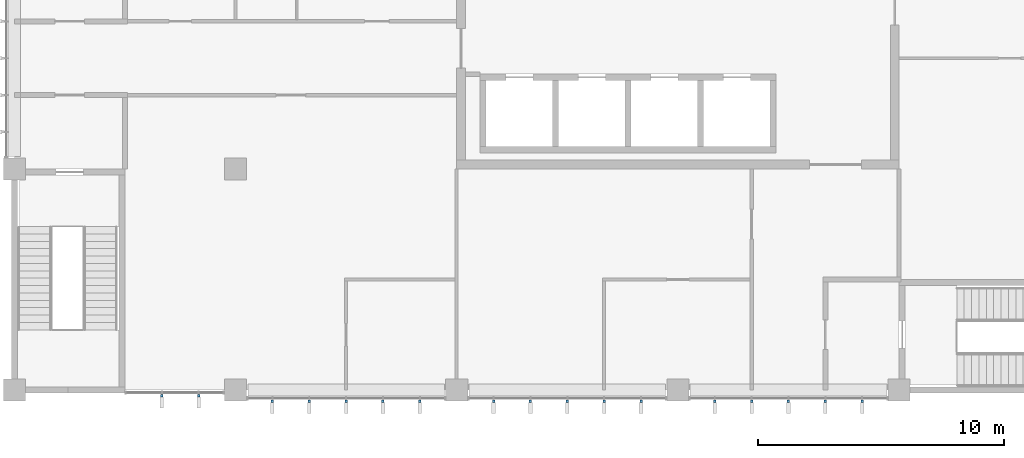
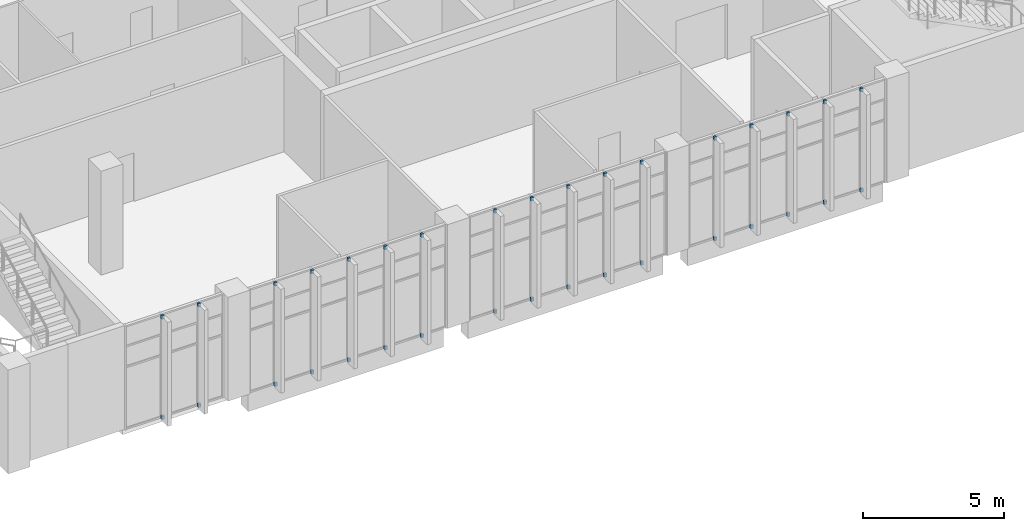
# One storey, part 93 of 106: 34 discrete accessories.
"""IFC4 building model written with IfcOpenShell, lengths in metres."""

import ifcopenshell
import ifcopenshell.guid

model = None  # the IFC model being written
_history = None  # IfcOwnerHistory: only IFC2X3 demands one
_inside = {}  # id of a spatial element -> (the spatial element, [elements in it])
_under = {}  # id of a project, library or spatial element -> (it, [spatial elements below it])
_declared = {}  # id of a project -> (the project, [libraries it declares])
_typed = {}  # id of a type object -> (the type object, [elements of that type])
_made_of = {}  # id of a material, layer set ... -> (it, [elements and type objects made of it])


def new_model(schema):
    """Start an empty IFC model of exactly this schema.

    Asked for "IFC4X3", IfcOpenShell would pick the latest addendum, in which some entities
    have other attributes; the version numbers below select the first issue.
    IFC2X3 requires an IfcOwnerHistory on every rooted entity: one is made here for all.
    """
    global model, _history
    if schema == "IFC4X3":
        model = ifcopenshell.file(schema_version=(4, 3, 0, 0))
    else:
        model = ifcopenshell.file(schema=schema)
    _inside.clear()
    _under.clear()
    _declared.clear()
    _typed.clear()
    _made_of.clear()
    _history = None
    if model.schema == "IFC2X3":
        org = make("IfcOrganization", Name="unknown")
        user = make(
            "IfcPersonAndOrganization",
            ThePerson=make("IfcPerson", FamilyName="unknown"),
            TheOrganization=org,
        )
        app = make(
            "IfcApplication",
            ApplicationDeveloper=org,
            Version="unknown",
            ApplicationFullName="unknown",
            ApplicationIdentifier="unknown",
        )
        _history = make(
            "IfcOwnerHistory",
            OwningUser=user,
            OwningApplication=app,
            ChangeAction="ADDED",
            CreationDate=0,
        )
    return model


def make(cls, **values):
    """One entity of the class cls with the attributes given. An attribute that is None is left unset."""
    return model.create_entity(
        cls, **{name: value for name, value in values.items() if value is not None}
    )


def rooted(cls, **values):
    """An entity with a GlobalId (a new one), such as an element, a storey or a relation."""
    return make(cls, GlobalId=ifcopenshell.guid.new(), OwnerHistory=_history, **values)


def si_unit(unit_type, name, prefix=None):
    """IfcSIUnit, for example si_unit("LENGTHUNIT", "METRE", prefix="MILLI")."""
    return make("IfcSIUnit", UnitType=unit_type, Prefix=prefix, Name=name)


def assignment(units):
    """IfcUnitAssignment: the units of a project."""
    return None if units is None else make("IfcUnitAssignment", Units=units)


def point(xyz):
    """IfcCartesianPoint."""
    return None if xyz is None else make("IfcCartesianPoint", Coordinates=xyz)


def direction(xyz):
    """IfcDirection."""
    return None if xyz is None else make("IfcDirection", DirectionRatios=xyz)


def frame(location, z_axis=None, x_axis=None):
    """IfcAxis2Placement3D, a coordinate frame: its origin and axes. An axis left out is left unset."""
    return make(
        "IfcAxis2Placement3D",
        Location=point(location),
        Axis=direction(z_axis),
        RefDirection=direction(x_axis),
    )


def frame_2d(location, x_axis=None):
    """IfcAxis2Placement2D, a coordinate frame in the plane: its origin and x axis."""
    return make(
        "IfcAxis2Placement2D", Location=point(location), RefDirection=direction(x_axis)
    )


def origin():
    """The frame at (0, 0, 0) with its axes left unset."""
    return frame((0.0, 0.0, 0.0))


def origin_2d():
    """The frame at (0, 0) in the plane with its x axis left unset."""
    return frame_2d((0.0, 0.0))


def place(relative_to, where):
    """IfcLocalPlacement: puts the frame where relative to a parent placement (None: the world)."""
    return make(
        "IfcLocalPlacement", PlacementRelTo=relative_to, RelativePlacement=where
    )


def context(
    kind, dimensions, precision=None, world=None, true_north=None, identifier=None
):
    """IfcGeometricRepresentationContext, for example the 3D "Model" context."""
    return make(
        "IfcGeometricRepresentationContext",
        ContextIdentifier=identifier,
        ContextType=kind,
        CoordinateSpaceDimension=dimensions,
        Precision=precision,
        WorldCoordinateSystem=world,
        TrueNorth=true_north,
    )


def subcontext(parent, identifier, kind, view, scale=None):
    """IfcGeometricRepresentationSubContext, for example "Body" below "Model"."""
    return make(
        "IfcGeometricRepresentationSubContext",
        ContextIdentifier=identifier,
        ContextType=kind,
        ParentContext=parent,
        TargetScale=scale,
        TargetView=view,
    )


def project(units=None, contexts=None):
    """IfcProject with its units and contexts."""
    return rooted(
        "IfcProject",
        Name="project",
        RepresentationContexts=contexts,
        UnitsInContext=assignment(units),
    )


def spatial(cls, under=None, at=None, **own):
    """A site, building, storey or space (cls), placed at a placement, below another one or the project."""
    s = rooted(cls, ObjectPlacement=at, **own)
    if under is not None:
        _under.setdefault(under.id(), (under, []))[1].append(s)
    return s


def profile(cls, at=None, kind="AREA", **sizes):
    """A parametric profile (cls). Its sizes go by their IFC names, for example OverallWidth=200.0."""
    return make(cls, ProfileType=kind, Position=at, **sizes)


def rectangle(**sizes):
    """IfcRectangleProfileDef."""
    return profile("IfcRectangleProfileDef", **sizes)


def extrude(swept, where, along, depth):
    """IfcExtrudedAreaSolid: the profile swept, set in the frame where, extruded along a direction by depth."""
    return make(
        "IfcExtrudedAreaSolid",
        SweptArea=swept,
        Position=where,
        ExtrudedDirection=direction(along),
        Depth=depth,
    )


def shape(context_of_items, identifier, shape_type, items):
    """IfcShapeRepresentation: the items that make up one representation, for example the "Body"."""
    return make(
        "IfcShapeRepresentation",
        ContextOfItems=context_of_items,
        RepresentationIdentifier=identifier,
        RepresentationType=shape_type,
        Items=items,
    )


def material(Name=None, Category=None):
    """IfcMaterial."""
    return make("IfcMaterial", Name=Name, Category=Category)


def made_of(thing, what):
    """Note that an element or type object is made of a material, layer set ...; save() writes the relation."""
    if what is not None:
        _made_of.setdefault(what.id(), (what, []))[1].append(thing)
    return thing


def type_object(cls, material=None, **own):
    """A type object (cls), such as IfcWallType, which elements share."""
    return made_of(rooted(cls, **own), material)


def element(
    cls,
    number,
    at=None,
    inside=None,
    cuts=None,
    type_object=None,
    material=None,
    context=None,
    identifier="Body",
    shape_type=None,
    held_by="IfcProductDefinitionShape",
    body=None,
    shapes=None,
    **own,
):
    """One element of the class cls, such as IfcWall. Its Tag is "e" and its number.

    at: its placement. inside: the storey or other place that contains it. cuts: it is an
    opening in that element (IfcRelVoidsElement). A single representation is given by context,
    identifier, shape_type and body (its items); several are given by shapes. held_by: the class
    of the entity that holds the representations. save() writes the other relations.
    """
    e = rooted(cls, Tag="e%d" % number, ObjectPlacement=at, **own)
    if body is not None:
        shapes = [shape(context, identifier, shape_type, body)]
    if shapes is not None:
        e.Representation = make(held_by, Representations=shapes)
    if inside is not None:
        _inside.setdefault(inside.id(), (inside, []))[1].append(e)
    if cuts is not None:
        rooted(
            "IfcRelVoidsElement", RelatingBuildingElement=cuts, RelatedOpeningElement=e
        )
    if type_object is not None:
        _typed.setdefault(type_object.id(), (type_object, []))[1].append(e)
    return made_of(e, material)


def aggregate(whole, parts):
    """IfcRelAggregates: a whole, such as a stair, and the parts it consists of."""
    return rooted("IfcRelAggregates", RelatingObject=whole, RelatedObjects=parts)


def save(model, path):
    """Write the relations noted so far, then the file.

    IfcRelAggregates (storeys below a building ...), IfcRelContainedInSpatialStructure (elements
    in a storey), IfcRelDefinesByType, IfcRelAssociatesMaterial and IfcRelDeclares: one each for
    every whole, place, type object, material and project.
    """
    for whole, parts in _under.values():
        aggregate(whole, parts)
    for where, things in _inside.values():
        rooted(
            "IfcRelContainedInSpatialStructure",
            RelatedElements=things,
            RelatingStructure=where,
        )
    for kind, things in _typed.values():
        rooted("IfcRelDefinesByType", RelatedObjects=things, RelatingType=kind)
    for what, things in _made_of.values():
        rooted("IfcRelAssociatesMaterial", RelatedObjects=things, RelatingMaterial=what)
    for by, libraries in _declared.values():
        rooted("IfcRelDeclares", RelatingContext=by, RelatedDefinitions=libraries)
    model.write(path)


model = new_model("IFC4")

# Units and contexts
model_context = context("Model", 3, precision=1e-05, world=origin(), true_north=direction((0.0, 1.0)))
body_context = subcontext(model_context, "Body", "Model", "MODEL_VIEW")
ifc_project = project(units=[si_unit("LENGTHUNIT", "METRE"), si_unit("AREAUNIT", "SQUARE_METRE"), si_unit("VOLUMEUNIT", "CUBIC_METRE"), si_unit("PLANEANGLEUNIT", "RADIAN"), si_unit("MASSUNIT", "GRAM", prefix="KILO")], contexts=[model_context])

# Site, building, storey
site_placement = place(None, origin())
site = spatial("IfcSite", under=ifc_project, at=site_placement, CompositionType="ELEMENT")
building_placement = place(site_placement, origin())
building = spatial("IfcBuilding", under=site, at=building_placement, Name="Guidao Yard Department Store", CompositionType="ELEMENT")
storey_placement = place(building_placement, frame((0.0, 0.0, 10.5)))
storey = spatial("IfcBuildingStorey", under=building, at=storey_placement, Name="L02", CompositionType="ELEMENT", Elevation=10.5)

# Discrete accessories
ifc_material = material(Name="Steel Q355B", Category="steel")
discrete_accessory_type = type_object("IfcDiscreteAccessoryType", Name="Fin bracket BR3 steel plate", PredefinedType="BRACKET", material=ifc_material)
for number, where, z_axis, x_axis, name in (
    (1, (132.0, -0.22998046875, 0.0), (0.0, 0.0, 1.0), (-1.0, 0.0, 0.0), "Fin bracket"),
    (2, (132.0, -0.22998046875, 4.35009765625), (0.0, 0.0, 1.0), (-1.0, 0.0, 0.0), "Fin bracket"),
    (3, (133.5, -0.22998046875, 0.0), (0.0, 0.0, 1.0), (-1.0, 0.0, 0.0), "Fin bracket"),
    (4, (133.5, -0.22998046875, 4.35009765625), (0.0, 0.0, 1.0), (-1.0, 0.0, 0.0), "Fin bracket"),
    (5, (136.5, -0.4599609375, 0.0), (0.0, 0.0, 1.0), (-1.0, 0.0, 0.0), "Fin bracket"),
    (6, (136.5, -0.4599609375, 4.35009765625), (0.0, 0.0, 1.0), (-1.0, 0.0, 0.0), "Fin bracket"),
    (7, (138.0, -0.4599609375, 0.0), (0.0, 0.0, 1.0), (-1.0, 0.0, 0.0), "Fin bracket"),
    (8, (138.0, -0.4599609375, 4.35009765625), (0.0, 0.0, 1.0), (-1.0, 0.0, 0.0), "Fin bracket"),
    (9, (139.5, -0.4599609375, 0.0), (0.0, 0.0, 1.0), (-1.0, 0.0, 0.0), "Fin bracket"),
    (10, (139.5, -0.4599609375, 4.35009765625), (0.0, 0.0, 1.0), (-1.0, 0.0, 0.0), "Fin bracket"),
    (11, (141.0, -0.4599609375, 0.0), (0.0, 0.0, 1.0), (-1.0, 0.0, 0.0), "Fin bracket"),
    (12, (141.0, -0.4599609375, 4.35009765625), (0.0, 0.0, 1.0), (-1.0, 0.0, 0.0), "Fin bracket"),
    (13, (142.5, -0.4599609375, 0.0), (0.0, 0.0, 1.0), (-1.0, 0.0, 0.0), "Fin bracket"),
    (14, (142.5, -0.4599609375, 4.35009765625), (0.0, 0.0, 1.0), (-1.0, 0.0, 0.0), "Fin bracket"),
    (15, (145.5, -0.4599609375, 0.0), (0.0, 0.0, 1.0), (-1.0, 0.0, 0.0), "Fin bracket"),
    (16, (145.5, -0.4599609375, 4.35009765625), (0.0, 0.0, 1.0), (-1.0, 0.0, 0.0), "Fin bracket"),
    (17, (147.0, -0.4599609375, 0.0), (0.0, 0.0, 1.0), (-1.0, 0.0, 0.0), "Fin bracket"),
    (18, (147.0, -0.4599609375, 4.35009765625), (0.0, 0.0, 1.0), (-1.0, 0.0, 0.0), "Fin bracket"),
    (19, (148.5, -0.4599609375, 0.0), (0.0, 0.0, 1.0), (-1.0, 0.0, 0.0), "Fin bracket"),
    (20, (148.5, -0.4599609375, 4.35009765625), (0.0, 0.0, 1.0), (-1.0, 0.0, 0.0), "Fin bracket"),
    (21, (150.0, -0.4599609375, 0.0), (0.0, 0.0, 1.0), (-1.0, 0.0, 0.0), "Fin bracket"),
    (22, (150.0, -0.4599609375, 4.35009765625), (0.0, 0.0, 1.0), (-1.0, 0.0, 0.0), "Fin bracket"),
    (23, (151.5, -0.4599609375, 0.0), (0.0, 0.0, 1.0), (-1.0, 0.0, 0.0), "Fin bracket"),
    (24, (151.5, -0.4599609375, 4.35009765625), (0.0, 0.0, 1.0), (-1.0, 0.0, 0.0), "Fin bracket"),
    (25, (154.5, -0.4599609375, 0.0), (0.0, 0.0, 1.0), (-1.0, 0.0, 0.0), "Fin bracket"),
    (26, (154.5, -0.4599609375, 4.35009765625), (0.0, 0.0, 1.0), (-1.0, 0.0, 0.0), "Fin bracket"),
    (27, (156.0, -0.4599609375, 0.0), (0.0, 0.0, 1.0), (-1.0, 0.0, 0.0), "Fin bracket"),
    (28, (156.0, -0.4599609375, 4.35009765625), (0.0, 0.0, 1.0), (-1.0, 0.0, 0.0), "Fin bracket"),
    (29, (157.5, -0.4599609375, 0.0), (0.0, 0.0, 1.0), (-1.0, 0.0, 0.0), "Fin bracket"),
    (30, (157.5, -0.4599609375, 4.35009765625), (0.0, 0.0, 1.0), (-1.0, 0.0, 0.0), "Fin bracket"),
    (31, (159.0, -0.4599609375, 0.0), (0.0, 0.0, 1.0), (-1.0, 0.0, 0.0), "Fin bracket"),
    (32, (159.0, -0.4599609375, 4.35009765625), (0.0, 0.0, 1.0), (-1.0, 0.0, 0.0), "Fin bracket"),
    (33, (160.5, -0.4599609375, 0.0), (0.0, 0.0, 1.0), (-1.0, 0.0, 0.0), "Fin bracket"),
    (34, (160.5, -0.4599609375, 4.35009765625), (0.0, 0.0, 1.0), (-1.0, 0.0, 0.0), "Fin bracket"),
):
    element("IfcDiscreteAccessory", number, at=place(storey_placement, frame(where, z_axis=z_axis, x_axis=x_axis)), inside=storey, type_object=discrete_accessory_type, Name=name, PredefinedType="BRACKET", context=body_context, shape_type="SweptSolid", body=[
        extrude(rectangle(XDim=0.10009765625, YDim=0.10009765625, at=origin_2d()), origin(), (0.0, 0.0, 1.0), 0.14990234375),
    ])

save(model, "model.ifc")
